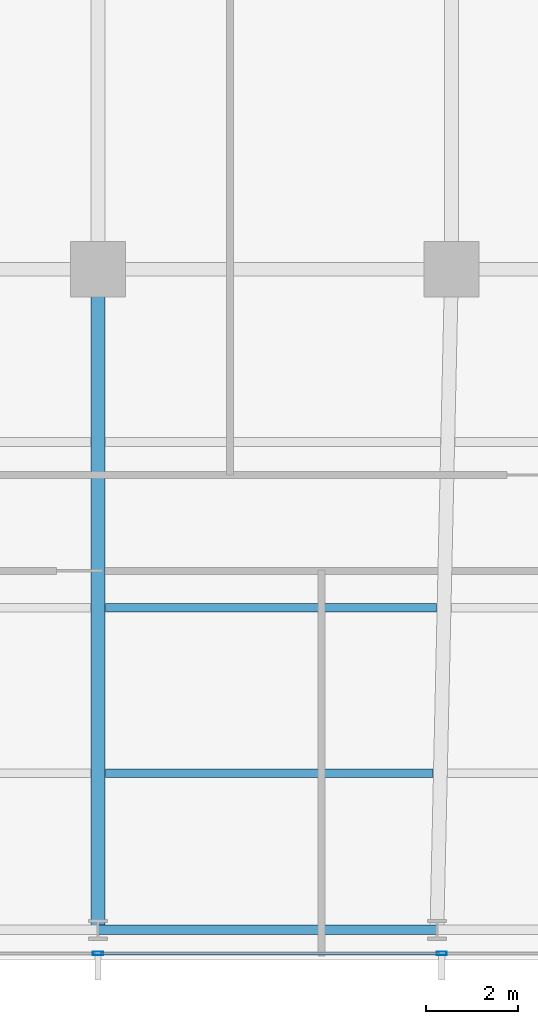
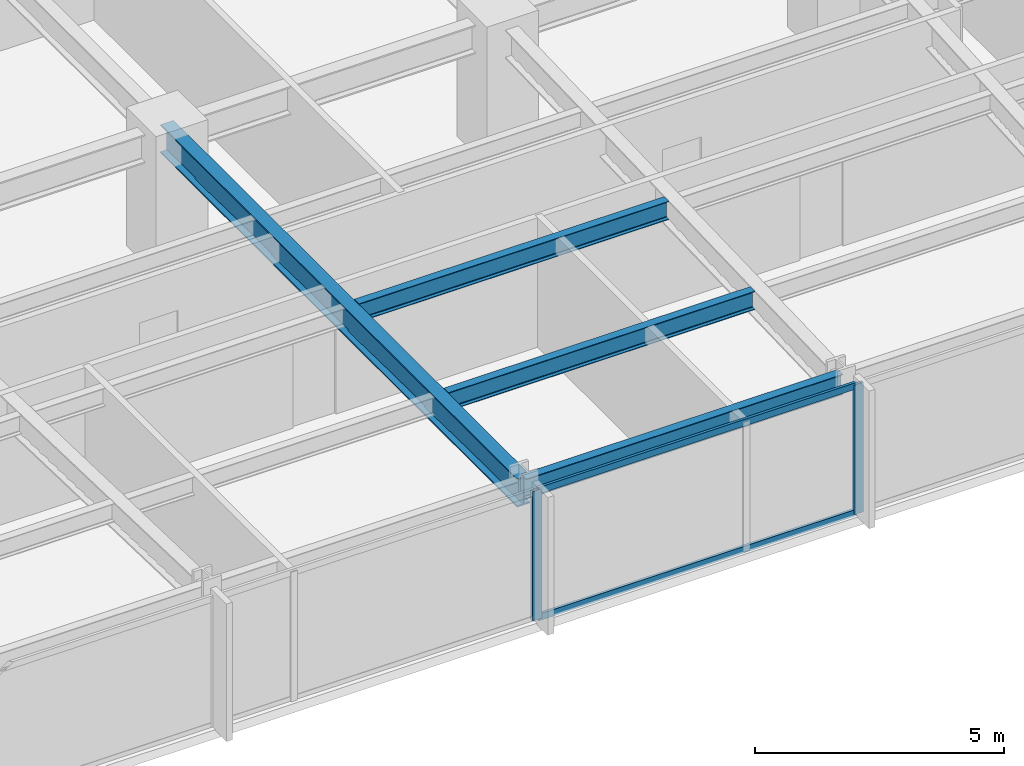
# One storey, part 11 of 32: 4 beams, 4 members, 1 element without a shape of its own.
"""IFC4 building model written with IfcOpenShell, lengths in metres."""

import ifcopenshell
import ifcopenshell.guid

model = None  # the IFC model being written
_history = None  # IfcOwnerHistory: only IFC2X3 demands one
_inside = {}  # id of a spatial element -> (the spatial element, [elements in it])
_under = {}  # id of a project, library or spatial element -> (it, [spatial elements below it])
_declared = {}  # id of a project -> (the project, [libraries it declares])
_typed = {}  # id of a type object -> (the type object, [elements of that type])
_made_of = {}  # id of a material, layer set ... -> (it, [elements and type objects made of it])


def new_model(schema):
    """Start an empty IFC model of exactly this schema.

    Asked for "IFC4X3", IfcOpenShell would pick the latest addendum, in which some entities
    have other attributes; the version numbers below select the first issue.
    IFC2X3 requires an IfcOwnerHistory on every rooted entity: one is made here for all.
    """
    global model, _history
    if schema == "IFC4X3":
        model = ifcopenshell.file(schema_version=(4, 3, 0, 0))
    else:
        model = ifcopenshell.file(schema=schema)
    _inside.clear()
    _under.clear()
    _declared.clear()
    _typed.clear()
    _made_of.clear()
    _history = None
    if model.schema == "IFC2X3":
        org = make("IfcOrganization", Name="unknown")
        user = make(
            "IfcPersonAndOrganization",
            ThePerson=make("IfcPerson", FamilyName="unknown"),
            TheOrganization=org,
        )
        app = make(
            "IfcApplication",
            ApplicationDeveloper=org,
            Version="unknown",
            ApplicationFullName="unknown",
            ApplicationIdentifier="unknown",
        )
        _history = make(
            "IfcOwnerHistory",
            OwningUser=user,
            OwningApplication=app,
            ChangeAction="ADDED",
            CreationDate=0,
        )
    return model


def make(cls, **values):
    """One entity of the class cls with the attributes given. An attribute that is None is left unset."""
    return model.create_entity(
        cls, **{name: value for name, value in values.items() if value is not None}
    )


def rooted(cls, **values):
    """An entity with a GlobalId (a new one), such as an element, a storey or a relation."""
    return make(cls, GlobalId=ifcopenshell.guid.new(), OwnerHistory=_history, **values)


def si_unit(unit_type, name, prefix=None):
    """IfcSIUnit, for example si_unit("LENGTHUNIT", "METRE", prefix="MILLI")."""
    return make("IfcSIUnit", UnitType=unit_type, Prefix=prefix, Name=name)


def assignment(units):
    """IfcUnitAssignment: the units of a project."""
    return None if units is None else make("IfcUnitAssignment", Units=units)


def point(xyz):
    """IfcCartesianPoint."""
    return None if xyz is None else make("IfcCartesianPoint", Coordinates=xyz)


def direction(xyz):
    """IfcDirection."""
    return None if xyz is None else make("IfcDirection", DirectionRatios=xyz)


def frame(location, z_axis=None, x_axis=None):
    """IfcAxis2Placement3D, a coordinate frame: its origin and axes. An axis left out is left unset."""
    return make(
        "IfcAxis2Placement3D",
        Location=point(location),
        Axis=direction(z_axis),
        RefDirection=direction(x_axis),
    )


def frame_2d(location, x_axis=None):
    """IfcAxis2Placement2D, a coordinate frame in the plane: its origin and x axis."""
    return make(
        "IfcAxis2Placement2D", Location=point(location), RefDirection=direction(x_axis)
    )


def origin():
    """The frame at (0, 0, 0) with its axes left unset."""
    return frame((0.0, 0.0, 0.0))


def origin_2d():
    """The frame at (0, 0) in the plane with its x axis left unset."""
    return frame_2d((0.0, 0.0))


def place(relative_to, where):
    """IfcLocalPlacement: puts the frame where relative to a parent placement (None: the world)."""
    return make(
        "IfcLocalPlacement", PlacementRelTo=relative_to, RelativePlacement=where
    )


def context(
    kind, dimensions, precision=None, world=None, true_north=None, identifier=None
):
    """IfcGeometricRepresentationContext, for example the 3D "Model" context."""
    return make(
        "IfcGeometricRepresentationContext",
        ContextIdentifier=identifier,
        ContextType=kind,
        CoordinateSpaceDimension=dimensions,
        Precision=precision,
        WorldCoordinateSystem=world,
        TrueNorth=true_north,
    )


def subcontext(parent, identifier, kind, view, scale=None):
    """IfcGeometricRepresentationSubContext, for example "Body" below "Model"."""
    return make(
        "IfcGeometricRepresentationSubContext",
        ContextIdentifier=identifier,
        ContextType=kind,
        ParentContext=parent,
        TargetScale=scale,
        TargetView=view,
    )


def project(units=None, contexts=None):
    """IfcProject with its units and contexts."""
    return rooted(
        "IfcProject",
        Name="project",
        RepresentationContexts=contexts,
        UnitsInContext=assignment(units),
    )


def spatial(cls, under=None, at=None, **own):
    """A site, building, storey or space (cls), placed at a placement, below another one or the project."""
    s = rooted(cls, ObjectPlacement=at, **own)
    if under is not None:
        _under.setdefault(under.id(), (under, []))[1].append(s)
    return s


def profile(cls, at=None, kind="AREA", **sizes):
    """A parametric profile (cls). Its sizes go by their IFC names, for example OverallWidth=200.0."""
    return make(cls, ProfileType=kind, Position=at, **sizes)


def hollow_rectangle(**sizes):
    """IfcRectangleHollowProfileDef."""
    return profile("IfcRectangleHollowProfileDef", **sizes)


def i_section(**sizes):
    """IfcIShapeProfileDef."""
    return profile("IfcIShapeProfileDef", **sizes)


def extrude(swept, where, along, depth):
    """IfcExtrudedAreaSolid: the profile swept, set in the frame where, extruded along a direction by depth."""
    return make(
        "IfcExtrudedAreaSolid",
        SweptArea=swept,
        Position=where,
        ExtrudedDirection=direction(along),
        Depth=depth,
    )


def shape(context_of_items, identifier, shape_type, items):
    """IfcShapeRepresentation: the items that make up one representation, for example the "Body"."""
    return make(
        "IfcShapeRepresentation",
        ContextOfItems=context_of_items,
        RepresentationIdentifier=identifier,
        RepresentationType=shape_type,
        Items=items,
    )


def material(Name=None, Category=None):
    """IfcMaterial."""
    return make("IfcMaterial", Name=Name, Category=Category)


def material_profile(
    of_material, cross_section, Name=None, Category=None, Priority=None
):
    """IfcMaterialProfile: a cross section and its material."""
    return make(
        "IfcMaterialProfile",
        Name=Name,
        Material=of_material,
        Profile=cross_section,
        Priority=Priority,
        Category=Category,
    )


def profile_set(profiles, Name=None, composite=None):
    """IfcMaterialProfileSet."""
    return make(
        "IfcMaterialProfileSet",
        Name=Name,
        MaterialProfiles=profiles,
        CompositeProfile=composite,
    )


def made_of(thing, what):
    """Note that an element or type object is made of a material, layer set ...; save() writes the relation."""
    if what is not None:
        _made_of.setdefault(what.id(), (what, []))[1].append(thing)
    return thing


def type_object(cls, material=None, **own):
    """A type object (cls), such as IfcWallType, which elements share."""
    return made_of(rooted(cls, **own), material)


def element(
    cls,
    number,
    at=None,
    inside=None,
    cuts=None,
    type_object=None,
    material=None,
    context=None,
    identifier="Body",
    shape_type=None,
    held_by="IfcProductDefinitionShape",
    body=None,
    shapes=None,
    **own,
):
    """One element of the class cls, such as IfcWall. Its Tag is "e" and its number.

    at: its placement. inside: the storey or other place that contains it. cuts: it is an
    opening in that element (IfcRelVoidsElement). A single representation is given by context,
    identifier, shape_type and body (its items); several are given by shapes. held_by: the class
    of the entity that holds the representations. save() writes the other relations.
    """
    e = rooted(cls, Tag="e%d" % number, ObjectPlacement=at, **own)
    if body is not None:
        shapes = [shape(context, identifier, shape_type, body)]
    if shapes is not None:
        e.Representation = make(held_by, Representations=shapes)
    if inside is not None:
        _inside.setdefault(inside.id(), (inside, []))[1].append(e)
    if cuts is not None:
        rooted(
            "IfcRelVoidsElement", RelatingBuildingElement=cuts, RelatedOpeningElement=e
        )
    if type_object is not None:
        _typed.setdefault(type_object.id(), (type_object, []))[1].append(e)
    return made_of(e, material)


def aggregate(whole, parts):
    """IfcRelAggregates: a whole, such as a stair, and the parts it consists of."""
    return rooted("IfcRelAggregates", RelatingObject=whole, RelatedObjects=parts)


def save(model, path):
    """Write the relations noted so far, then the file.

    IfcRelAggregates (storeys below a building ...), IfcRelContainedInSpatialStructure (elements
    in a storey), IfcRelDefinesByType, IfcRelAssociatesMaterial and IfcRelDeclares: one each for
    every whole, place, type object, material and project.
    """
    for whole, parts in _under.values():
        aggregate(whole, parts)
    for where, things in _inside.values():
        rooted(
            "IfcRelContainedInSpatialStructure",
            RelatedElements=things,
            RelatingStructure=where,
        )
    for kind, things in _typed.values():
        rooted("IfcRelDefinesByType", RelatedObjects=things, RelatingType=kind)
    for what, things in _made_of.values():
        rooted("IfcRelAssociatesMaterial", RelatedObjects=things, RelatingMaterial=what)
    for by, libraries in _declared.values():
        rooted("IfcRelDeclares", RelatingContext=by, RelatedDefinitions=libraries)
    model.write(path)


model = new_model("IFC4")

# Units and contexts
model_context = context("Model", 3, precision=1e-05, world=origin(), true_north=direction((0.0, 1.0)))
body_context = subcontext(model_context, "Body", "Model", "MODEL_VIEW")
ifc_project = project(units=[si_unit("LENGTHUNIT", "METRE"), si_unit("AREAUNIT", "SQUARE_METRE"), si_unit("VOLUMEUNIT", "CUBIC_METRE"), si_unit("PLANEANGLEUNIT", "RADIAN"), si_unit("MASSUNIT", "GRAM", prefix="KILO")], contexts=[model_context])

# Site, building, storey
site_placement = place(None, origin())
site = spatial("IfcSite", under=ifc_project, at=site_placement, CompositionType="ELEMENT")
building_placement = place(site_placement, origin())
building = spatial("IfcBuilding", under=site, at=building_placement, Name="Yelkora Congress Tower", CompositionType="ELEMENT")
storey_placement = place(building_placement, frame((0.0, 0.0, 33.800048828125)))
storey = spatial("IfcBuildingStorey", under=building, at=storey_placement, Name="L07", CompositionType="ELEMENT", Elevation=33.800048828125)

# Beams
ifc_material_1 = material(Name="Steel S355J2", Category="steel")
ifc_material_profile_1 = material_profile(ifc_material_1, i_section(OverallWidth=0.300048828125, OverallDepth=0.699951171875, WebThickness=0.01708984375, FlangeThickness=0.031982421875, FilletRadius=0.027099609375, at=origin_2d()), Name="HEB 700")
ifc_profile_set_1 = profile_set([ifc_material_profile_1], Name="Steel S355J2")
beam_type_1 = type_object("IfcBeamType", Name="BM-GIRD-HEB700", PredefinedType="BEAM", material=ifc_profile_set_1)
beam_1_placement = place(storey_placement, frame((38.39990234375, 10.85009765625, 2.829833984375), z_axis=(0.0, 1.0, 0.0), x_axis=(-1.0, 0.0, 0.0)))
element("IfcBeam", 1, at=beam_1_placement, inside=storey, type_object=beam_type_1, Name="L07 Primary Frame Girder S05", PredefinedType="BEAM", context=body_context, shape_type="SweptSolid", body=[
    extrude(i_section(OverallWidth=0.300048828125, OverallDepth=0.699951171875, WebThickness=0.01708984375, FlangeThickness=0.031982421875, FilletRadius=0.027099609375, at=origin_2d()), origin(), (0.0, 0.0, 1.0), 14.349853515625),
])
ifc_material_profile_2 = material_profile(ifc_material_1, i_section(OverallWidth=0.18994140625, OverallDepth=0.449951171875, WebThickness=0.009521484375, FlangeThickness=0.0146484375, FilletRadius=0.02099609375, at=origin_2d()), Name="IPE 450")
ifc_profile_set_2 = profile_set([ifc_material_profile_2], Name="Steel S355J2")
beam_type_2 = type_object("IfcBeamType", Name="BM-JOIST-IPE450", PredefinedType="JOIST", material=ifc_profile_set_2)
beam_2_placement = place(storey_placement, frame((38.56005859375, 14.25, 2.954833984375), z_axis=(1.0, 0.0, 0.0), x_axis=(0.0, 1.0, 0.0)))
element("IfcBeam", 2, at=beam_2_placement, inside=storey, type_object=beam_type_2, Name="L07 Composite Floor Joist 5", PredefinedType="JOIST", context=body_context, shape_type="SweptSolid", body=[
    extrude(i_section(OverallWidth=0.18994140625, OverallDepth=0.449951171875, WebThickness=0.009521484375, FlangeThickness=0.0146484375, FilletRadius=0.02099609375, at=origin_2d()), origin(), (0.0, 0.0, 1.0), 7.11767578125),
])
beam_3_placement = place(storey_placement, frame((38.56005859375, 17.85009765625, 2.954833984375), z_axis=(1.0, 0.0, 0.0), x_axis=(0.0, 1.0, 0.0)))
element("IfcBeam", 3, at=beam_3_placement, inside=storey, type_object=beam_type_2, Name="L07 Composite Floor Joist 13", PredefinedType="JOIST", context=body_context, shape_type="SweptSolid", body=[
    extrude(i_section(OverallWidth=0.18994140625, OverallDepth=0.449951171875, WebThickness=0.009521484375, FlangeThickness=0.0146484375, FilletRadius=0.02099609375, at=origin_2d()), origin(), (0.0, 0.0, 1.0), 7.197265625),
])
ifc_material_profile_3 = material_profile(ifc_material_1, i_section(OverallWidth=0.199951171875, OverallDepth=0.5, WebThickness=0.01025390625, FlangeThickness=0.01611328125, FilletRadius=0.02099609375, at=origin_2d()), Name="IPE 500")
ifc_profile_set_3 = profile_set([ifc_material_profile_3], Name="Steel S355J2")
beam_type_3 = type_object("IfcBeamType", Name="BM-SPAN-IPE500", PredefinedType="SPANDREL", material=ifc_profile_set_3)
beam_4_placement = place(storey_placement, frame((38.39990234375, 10.85009765625, 2.929931640625), z_axis=(1.0, 0.0, 0.0), x_axis=(0.0, 1.0, 0.0)))
element("IfcBeam", 4, at=beam_4_placement, inside=storey, type_object=beam_type_3, Name="L07 Perimeter Beam 6", PredefinedType="SPANDREL", context=body_context, shape_type="SweptSolid", body=[
    extrude(i_section(OverallWidth=0.199951171875, OverallDepth=0.5, WebThickness=0.01025390625, FlangeThickness=0.01611328125, FilletRadius=0.02099609375, at=origin_2d()), origin(), (0.0, 0.0, 1.0), 7.362548828125),
])

# Curtain wall, members
ifc_material_2 = material(Name="Anodised aluminium and insulated glass", Category="aluminium")
curtain_wall_type = type_object("IfcCurtainWallType", Name="CW-SYS-B1", PredefinedType="NOTDEFINED", material=ifc_material_2)
curtain_wall_placement = place(storey_placement, origin())
curtain_wall = element("IfcCurtainWall", 5, at=curtain_wall_placement, inside=storey, type_object=curtain_wall_type, Name="L07 Unitised Curtain Wall 20", PredefinedType="NOTDEFINED")
ifc_material_3 = material(Name="Anodised aluminium 6063-T6", Category="aluminium")
ifc_material_profile_4 = material_profile(ifc_material_3, hollow_rectangle(XDim=0.074951171875, YDim=0.219970703125, WallThickness=0.0048828125, at=origin_2d()), Name="ALU 75x220x5")
ifc_profile_set_4 = profile_set([ifc_material_profile_4], Name="Anodised aluminium 6063-T6")
member_type_1 = type_object("IfcMemberType", Name="MEM-ML-B1", PredefinedType="MULLION", material=ifc_profile_set_4)
member_1_placement = place(storey_placement, frame((45.864990234375, 10.340087890625, 0.0), z_axis=(0.0, 0.0, 1.0), x_axis=(0.0, -1.0, 0.0)))
member_1 = element("IfcMember", 6, at=member_1_placement, type_object=member_type_1, Name="CW-B1 mullion 4", PredefinedType="MULLION", context=body_context, shape_type="SweptSolid", body=[
    extrude(hollow_rectangle(XDim=0.074951171875, YDim=0.219970703125, WallThickness=0.0048828125, at=origin_2d()), origin(), (0.0, 0.0, 1.0), 3.179931640625),
])
member_2_placement = place(storey_placement, frame((38.39990234375, 10.340087890625, 0.0), z_axis=(0.0, 0.0, 1.0), x_axis=(0.0, -1.0, 0.0)))
member_2 = element("IfcMember", 7, at=member_2_placement, type_object=member_type_1, Name="CW-B1 mullion 5", PredefinedType="MULLION", context=body_context, shape_type="SweptSolid", body=[
    extrude(hollow_rectangle(XDim=0.074951171875, YDim=0.219970703125, WallThickness=0.0048828125, at=origin_2d()), origin(), (0.0, 0.0, 1.0), 3.179931640625),
])
ifc_material_profile_5 = material_profile(ifc_material_3, hollow_rectangle(XDim=0.06494140625, YDim=0.159912109375, WallThickness=0.00390625, at=origin_2d()), Name="ALU 65x160x4")
ifc_profile_set_5 = profile_set([ifc_material_profile_5], Name="Anodised aluminium 6063-T6")
member_type_2 = type_object("IfcMemberType", Name="MEM-TR-B1", PredefinedType="USERDEFINED", material=ifc_profile_set_5)
member_3_placement = place(storey_placement, frame((45.827392578125, 10.340087890625, 0.032470703125), z_axis=(-1.0, 0.0, 0.0), x_axis=(0.0, -1.0, 0.0)))
member_3 = element("IfcMember", 8, at=member_3_placement, type_object=member_type_2, Name="CW-B1 transom 4.1", ObjectType="TRANSOM", PredefinedType="USERDEFINED", context=body_context, shape_type="SweptSolid", body=[
    extrude(hollow_rectangle(XDim=0.06494140625, YDim=0.159912109375, WallThickness=0.00390625, at=origin_2d()), origin(), (0.0, 0.0, 1.0), 7.389892578125),
])
member_4_placement = place(storey_placement, frame((45.827392578125, 10.340087890625, 3.1474609375), z_axis=(-1.0, 0.0, 0.0), x_axis=(0.0, -1.0, 0.0)))
member_4 = element("IfcMember", 9, at=member_4_placement, type_object=member_type_2, Name="CW-B1 transom 4.2", ObjectType="TRANSOM", PredefinedType="USERDEFINED", context=body_context, shape_type="SweptSolid", body=[
    extrude(hollow_rectangle(XDim=0.06494140625, YDim=0.159912109375, WallThickness=0.00390625, at=origin_2d()), origin(), (0.0, 0.0, 1.0), 7.389892578125),
])
aggregate(curtain_wall, [member_1, member_2, member_3, member_4])

save(model, "model.ifc")
